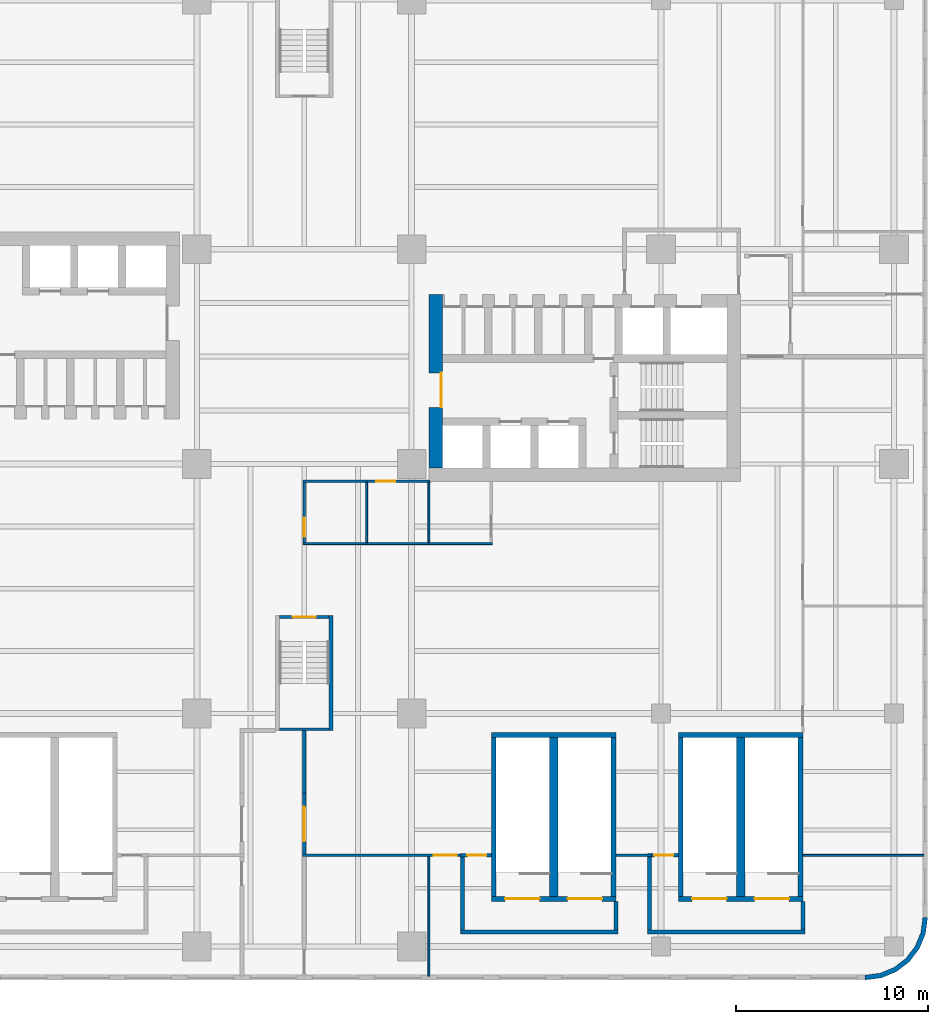
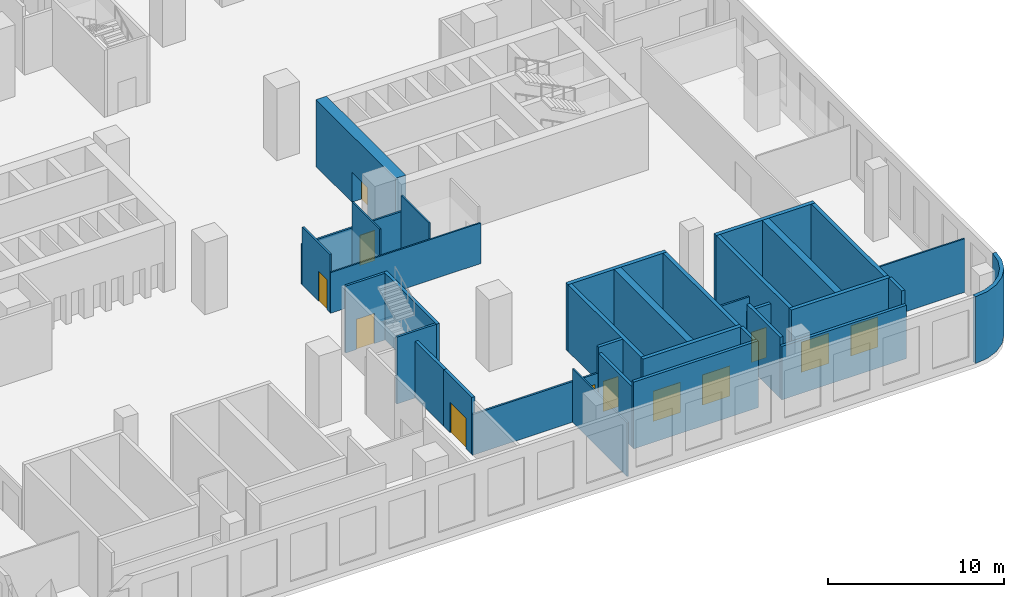
# One storey, part 6 of 13: 34 walls, 12 doors, 12 openings.
"""IFC4 building model written with IfcOpenShell, lengths in metres."""

from ifc_helpers import new_model, si_unit, direction, frame, frame_2d, origin, place, context, subcontext, project, spatial, polyline, rectangle, outline, extrude, source, transform, mapped, material, layer, layer_set, type_object, element, fill, save


model = new_model("IFC4")

# Units and contexts
model_context = context("Model", 3, precision=1e-05, world=origin(), true_north=direction((0.0, 1.0)))
body_context = subcontext(model_context, "Body", "Model", "MODEL_VIEW")
ifc_project = project(units=[si_unit("LENGTHUNIT", "METRE"), si_unit("AREAUNIT", "SQUARE_METRE"), si_unit("VOLUMEUNIT", "CUBIC_METRE"), si_unit("PLANEANGLEUNIT", "RADIAN"), si_unit("MASSUNIT", "GRAM", prefix="KILO")], contexts=[model_context])

# Site, building, storey
site_placement = place(None, origin())
site = spatial("IfcSite", under=ifc_project, at=site_placement, CompositionType="ELEMENT")
building_placement = place(site_placement, origin())
building = spatial("IfcBuilding", under=site, at=building_placement, Name="Trellis Farm Tower", CompositionType="ELEMENT")
storey_placement = place(building_placement, frame((0.0, 0.0, 29.0)))
storey = spatial("IfcBuildingStorey", under=building, at=storey_placement, Name="L05", CompositionType="ELEMENT", Elevation=29.0)

# Walls
ifc_material_1 = material(Name="Plasterboard on steel studs", Category="steel")
ifc_layer_1 = layer(ifc_material_1, 0.10009765625)
ifc_layer_set_1 = layer_set([ifc_layer_1], Name="PARTITION 100 STUD EI 30")
wall_type_1 = type_object("IfcWallType", Name="PARTITION 100 STUD EI 30", PredefinedType="PARTITIONING", material=ifc_layer_set_1)
wall_1_placement = place(storey_placement, frame((3.25, -9.699951171875, 0.0), z_axis=(0.0, 0.0, 1.0), x_axis=(0.0, 1.0, 0.0)))
element("IfcWall", 1, at=wall_1_placement, inside=storey, type_object=wall_type_1, Name="Partition PW2", PredefinedType="PARTITIONING", context=body_context, shape_type="SweptSolid", body=[
    extrude(rectangle(XDim=3.137451171875, YDim=0.10009765625, at=frame_2d((1.56884765625, 0.0))), origin(), (0.0, 0.0, 1.0), 4.64990234375),
])
wall_2_placement = place(storey_placement, frame((6.5, -9.699951171875, 0.0), z_axis=(0.0, 0.0, 1.0), x_axis=(0.0, 1.0, 0.0)))
element("IfcWall", 2, at=wall_2_placement, inside=storey, type_object=wall_type_1, Name="Partition PW2", PredefinedType="PARTITIONING", context=body_context, shape_type="SweptSolid", body=[
    extrude(rectangle(XDim=3.137451171875, YDim=0.10009765625, at=frame_2d((1.56884765625, 0.0))), origin(), (0.0, 0.0, 1.0), 3.946533203125),
])
wall_3_placement = place(storey_placement, frame((-0.0625, -9.75, 0.0), z_axis=(0.0, 0.0, 1.0), x_axis=(1.0, 0.0, 0.0)))
element("IfcWall", 3, at=wall_3_placement, inside=storey, type_object=wall_type_1, Name="Partition PW2", PredefinedType="PARTITIONING", context=body_context, shape_type="SweptSolid", body=[
    extrude(rectangle(XDim=9.875, YDim=0.10009765625, at=frame_2d((4.9375, 0.0))), origin(), (0.0, 0.0, 1.0), 2.830078125),
])

# Wall, opening, door
ifc_material_2 = material(Name="Plasterboard on steel studs, mineral wool", Category="steel")
ifc_layer_2 = layer(ifc_material_2, 0.125)
ifc_layer_set_2 = layer_set([ifc_layer_2], Name="PARTITION 125 STUD EI 60")
wall_type_2 = type_object("IfcWallType", Name="PARTITION 125 STUD EI 60", PredefinedType="PARTITIONING", material=ifc_layer_set_2)
wall_4_placement = place(storey_placement, frame((0.0, -6.5625, 0.0), z_axis=(0.0, 0.0, 1.0), x_axis=(0.0, -1.0, 0.0)))
wall_4 = element("IfcWall", 4, at=wall_4_placement, inside=storey, type_object=wall_type_2, Name="Partition PW1", PredefinedType="PARTITIONING", context=body_context, shape_type="SweptSolid", body=[
    extrude(rectangle(XDim=3.137451171875, YDim=0.125, at=frame_2d((1.56884765625, 0.0))), origin(), (0.0, 0.0, 1.0), 4.02734375),
])
shared_shape_1 = source(origin(), body_context, "Body", "SweptSolid", [
    extrude(rectangle(XDim=1.0, YDim=2.10009765625, at=frame_2d((0.5, 1.050048828125))), frame((0.0, 0.072509765625, 0.0), z_axis=(0.0, -1.0, 0.0), x_axis=(1.0, 0.0, 0.0)), (0.0, 0.0, 1.0), 0.14501953125),
])
opening_1_placement = place(wall_4_placement, frame((1.83740234375, 0.0, 0.0)))
opening_1 = element("IfcOpeningElement", 5, at=opening_1_placement, cuts=wall_4, Name="Opening D103", PredefinedType="OPENING", context=body_context, shape_type="MappedRepresentation", body=[
    mapped(shared_shape_1, transform((0.0, 0.0, 0.0))),
])
ifc_material_3 = material(Name="Fire-rated timber door leaf in a hollow metal frame", Category="wood")
door_type_1 = type_object("IfcDoorType", Name="DOOR 1000x2100 FD30S", OperationType="NOTDEFINED", PredefinedType="DOOR", material=ifc_material_3)
shared_shape_2 = source(origin(), body_context, "Body", "SweptSolid", [
    extrude(rectangle(XDim=1.0, YDim=2.10009765625, at=frame_2d((0.5, 1.050048828125))), frame((0.0, 0.02490234375, 0.0), z_axis=(0.0, -1.0, 0.0), x_axis=(1.0, 0.0, 0.0)), (0.0, 0.0, 1.0), 0.050048828125),
])
door_1_placement = place(opening_1_placement, origin())
door_1 = element("IfcDoor", 6, at=door_1_placement, inside=storey, type_object=door_type_1, Name="Door D103", OperationType="SINGLE_SWING_RIGHT", OverallHeight=2.10009765625, OverallWidth=1.0, PredefinedType="DOOR", context=body_context, shape_type="MappedRepresentation", body=[
    mapped(shared_shape_2, transform((0.0, 0.0, 0.0))),
])
fill(opening_1, door_1)

wall_5_placement = place(storey_placement, frame((6.550048828125, -6.5, 0.0), z_axis=(0.0, 0.0, 1.0), x_axis=(-1.0, 0.0, 0.0)))
wall_5 = element("IfcWall", 7, at=wall_5_placement, inside=storey, type_object=wall_type_2, Name="Partition PW1", PredefinedType="PARTITIONING", context=body_context, shape_type="SweptSolid", body=[
    extrude(rectangle(XDim=6.612548828125, YDim=0.125, at=frame_2d((3.30615234375, 0.0))), origin(), (0.0, 0.0, 1.0), 2.830078125),
])
opening_2_placement = place(wall_5_placement, frame((1.800048828125, 0.0, 0.0)))
opening_2 = element("IfcOpeningElement", 8, at=opening_2_placement, cuts=wall_5, Name="Opening D104", PredefinedType="OPENING", context=body_context, shape_type="MappedRepresentation", body=[
    mapped(shared_shape_1, transform((0.0, 0.0, 0.0))),
])
door_2_placement = place(opening_2_placement, origin())
door_2 = element("IfcDoor", 9, at=door_2_placement, inside=storey, type_object=door_type_1, Name="Door D104", OperationType="SINGLE_SWING_LEFT", OverallHeight=2.10009765625, OverallWidth=1.0, PredefinedType="DOOR", context=body_context, shape_type="MappedRepresentation", body=[
    mapped(shared_shape_2, transform((0.0, 0.0, 0.0))),
])
fill(opening_2, door_2)

# Wall
ifc_material_4 = material(Name="Sandstone faced insulated wall", Category="masonry")
ifc_layer_3 = layer(ifc_material_4, 0.25)
ifc_layer_set_3 = layer_set([ifc_layer_3], Name="STONE CLAD EXTERNAL WALL 250")
wall_type_3 = type_object("IfcWallType", Name="STONE CLAD EXTERNAL WALL 250", PredefinedType="SOLIDWALL", material=ifc_layer_set_3)
wall_6_placement = place(storey_placement, origin())
element("IfcWall", 10, at=wall_6_placement, inside=storey, type_object=wall_type_3, Name="EW5 C04", PredefinedType="SOLIDWALL", context=body_context, shape_type="SweptSolid", body=[
    extrude(outline(polyline([(29.25, -32.5), (30.091064453125, -32.38916015625), (30.875, -32.064697265625), (31.548095703125, -31.548095703125), (32.064697265625, -30.875), (32.38916015625, -30.091064453125), (32.5, -29.25), (32.25, -29.233642578125), (32.145751953125, -30.02587890625), (31.84619140625, -30.7490234375), (31.369873046875, -31.369873046875), (30.7490234375, -31.84619140625), (30.02587890625, -32.145751953125), (29.233642578125, -32.25), (29.25, -32.5)])), origin(), (0.0, 0.0, 1.0), 4.64990234375),
])

# Wall, opening, door
ifc_material_5 = material(Name="Concrete C80/95", Category="concrete")
ifc_layer_4 = layer(ifc_material_5, 0.699951171875)
ifc_layer_set_4 = layer_set([ifc_layer_4], Name="CORE OUTER WALL 700 CONCRETE C80/95")
wall_type_4 = type_object("IfcWallType", Name="CORE OUTER WALL 700 CONCRETE C80/95", PredefinedType="SHEAR", material=ifc_layer_set_4)
shared_shape_3 = source(origin(), body_context, "Body", "SweptSolid", [
    extrude(rectangle(XDim=9.050048828125, YDim=0.699951171875, at=frame_2d((4.52490234375, 0.0))), origin(), (0.0, 0.0, 1.0), 4.64990234375),
])
wall_7_placement = place(storey_placement, frame((6.85009765625, -5.800048828125, 0.0), z_axis=(0.0, 0.0, 1.0), x_axis=(0.0, 1.0, 0.0)))
wall_7 = element("IfcWall", 11, at=wall_7_placement, inside=storey, type_object=wall_type_4, Name="Core wall", PredefinedType="SHEAR", context=body_context, shape_type="MappedRepresentation", body=[
    mapped(shared_shape_3, transform((0.0, 0.0, 0.0))),
])
shared_shape_4 = source(origin(), body_context, "Body", "SweptSolid", [
    extrude(rectangle(XDim=1.800048828125, YDim=2.10009765625, at=frame_2d((0.89990234375, 1.050048828125))), frame((0.0, 0.360107421875, 0.0), z_axis=(0.0, -1.0, 0.0), x_axis=(1.0, 0.0, 0.0)), (0.0, 0.0, 1.0), 0.72021484375),
])
opening_3_placement = place(wall_7_placement, frame((3.14990234375, 0.0, 0.0)))
opening_3 = element("IfcOpeningElement", 12, at=opening_3_placement, cuts=wall_7, Name="Opening DC1", PredefinedType="OPENING", context=body_context, shape_type="MappedRepresentation", body=[
    mapped(shared_shape_4, transform((0.0, 0.0, 0.0))),
])
ifc_material_6 = material(Name="Steel", Category="steel")
door_type_2 = type_object("IfcDoorType", Name="CORE FIRE DOOR DOUBLE 1800 X 2100", OperationType="DOUBLE_DOOR_SINGLE_SWING", PredefinedType="DOOR", material=ifc_material_6)
shared_shape_5 = source(origin(), body_context, "Body", "SweptSolid", [
    extrude(rectangle(XDim=1.800048828125, YDim=2.10009765625, at=frame_2d((0.89990234375, 1.050048828125))), frame((0.0, -0.27490234375, 0.0), z_axis=(0.0, -1.0, 0.0), x_axis=(1.0, 0.0, 0.0)), (0.0, 0.0, 1.0), 0.050048828125),
])
door_3_placement = place(opening_3_placement, origin())
door_3 = element("IfcDoor", 13, at=door_3_placement, inside=storey, type_object=door_type_2, Name="Core door", OperationType="DOUBLE_DOOR_SINGLE_SWING", OverallHeight=2.10009765625, OverallWidth=1.800048828125, PredefinedType="DOOR", context=body_context, shape_type="MappedRepresentation", body=[
    mapped(shared_shape_5, transform((0.0, 0.0, 0.0))),
])
fill(opening_3, door_3)

# Wall
ifc_layer_5 = layer(ifc_material_5, 0.199951171875)
ifc_layer_set_5 = layer_set([ifc_layer_5], Name="CORE STAIR ENCLOSURE WALL 200 CONCRETE C80/95")
wall_type_5 = type_object("IfcWallType", Name="CORE STAIR ENCLOSURE WALL 200 CONCRETE C80/95", PredefinedType="SHEAR", material=ifc_layer_set_5)
shared_shape_6 = source(origin(), body_context, "Body", "SweptSolid", [
    extrude(rectangle(XDim=6.0, YDim=0.199951171875, at=frame_2d((3.0, 0.0))), origin(), (0.0, 0.0, 1.0), 4.64990234375),
])
wall_8_placement = place(storey_placement, frame((1.39990234375, -13.5, 0.0), z_axis=(0.0, 0.0, 1.0), x_axis=(0.0, -1.0, 0.0)))
element("IfcWall", 14, at=wall_8_placement, inside=storey, type_object=wall_type_5, Name="Stair enclosure wall", PredefinedType="SHEAR", context=body_context, shape_type="MappedRepresentation", body=[
    mapped(shared_shape_6, transform((0.0, 0.0, 0.0))),
])

# Wall, opening, door
ifc_layer_6 = layer(ifc_material_5, 0.14990234375)
ifc_layer_set_6 = layer_set([ifc_layer_6], Name="CORE STAIR ENCLOSURE WALL 150 CONCRETE C80/95")
wall_type_6 = type_object("IfcWallType", Name="CORE STAIR ENCLOSURE WALL 150 CONCRETE C80/95", PredefinedType="SHEAR", material=ifc_layer_set_6)
shared_shape_7 = source(origin(), body_context, "Body", "SweptSolid", [
    extrude(rectangle(XDim=2.60009765625, YDim=0.14990234375, at=frame_2d((1.300048828125, 0.0))), origin(), (0.0, 0.0, 1.0), 4.64990234375),
])
wall_9_placement = place(storey_placement, frame((1.300048828125, -13.574951171875, 0.0), z_axis=(0.0, 0.0, 1.0), x_axis=(-1.0, 0.0, 0.0)))
wall_9 = element("IfcWall", 15, at=wall_9_placement, inside=storey, type_object=wall_type_6, Name="Stair enclosure wall", PredefinedType="SHEAR", context=body_context, shape_type="MappedRepresentation", body=[
    mapped(shared_shape_7, transform((0.0, 0.0, 0.0))),
])
shared_shape_8 = source(origin(), body_context, "Body", "SweptSolid", [
    extrude(rectangle(XDim=1.199951171875, YDim=2.10009765625, at=frame_2d((0.60009765625, 1.050048828125))), frame((0.0, 0.0849609375, 0.0), z_axis=(0.0, -1.0, 0.0), x_axis=(1.0, 0.0, 0.0)), (0.0, 0.0, 1.0), 0.169921875),
])
opening_4_placement = place(wall_9_placement, frame((0.699951171875, 0.0, 0.0)))
opening_4 = element("IfcOpeningElement", 16, at=opening_4_placement, cuts=wall_9, Name="Opening DC174", PredefinedType="OPENING", context=body_context, shape_type="MappedRepresentation", body=[
    mapped(shared_shape_8, transform((0.0, 0.0, 0.0))),
])
door_type_3 = type_object("IfcDoorType", Name="CORE FIRE DOOR 1200 X 2100", OperationType="NOTDEFINED", PredefinedType="DOOR", material=ifc_material_6)
shared_shape_9 = source(origin(), body_context, "Body", "SweptSolid", [
    extrude(rectangle(XDim=1.199951171875, YDim=2.10009765625, at=frame_2d((0.60009765625, 1.050048828125))), frame((0.0, 0.02490234375, 0.0), z_axis=(0.0, -1.0, 0.0), x_axis=(1.0, 0.0, 0.0)), (0.0, 0.0, 1.0), 0.050048828125),
])
door_4_placement = place(opening_4_placement, origin())
door_4 = element("IfcDoor", 17, at=door_4_placement, inside=storey, type_object=door_type_3, Name="Core door", OperationType="SINGLE_SWING_RIGHT", OverallHeight=2.10009765625, OverallWidth=1.199951171875, PredefinedType="DOOR", context=body_context, shape_type="MappedRepresentation", body=[
    mapped(shared_shape_9, transform((0.0, 0.0, 0.0))),
])
fill(opening_4, door_4)

# Wall
wall_10_placement = place(storey_placement, frame((1.300048828125, -19.425048828125, 0.0), z_axis=(0.0, 0.0, 1.0), x_axis=(-1.0, 0.0, 0.0)))
element("IfcWall", 18, at=wall_10_placement, inside=storey, type_object=wall_type_6, Name="Stair enclosure wall", PredefinedType="SHEAR", context=body_context, shape_type="MappedRepresentation", body=[
    mapped(shared_shape_7, transform((0.0, 0.0, 0.0))),
])

# Wall, openings, doors
ifc_layer_7 = layer(ifc_material_5, 0.25)
ifc_layer_set_7 = layer_set([ifc_layer_7], Name="CORE STAIR ENCLOSURE WALL 250 CONCRETE C80/95")
wall_type_7 = type_object("IfcWallType", Name="CORE STAIR ENCLOSURE WALL 250 CONCRETE C80/95", PredefinedType="SHEAR", material=ifc_layer_set_7)
shared_shape_10 = source(origin(), body_context, "Body", "SweptSolid", [
    extrude(rectangle(XDim=6.5, YDim=0.25, at=frame_2d((3.25, 0.0))), origin(), (0.0, 0.0, 1.0), 4.64990234375),
])
wall_11_placement = place(storey_placement, frame((9.75, -28.27490234375, 0.0), z_axis=(0.0, 0.0, 1.0), x_axis=(1.0, 0.0, 0.0)))
wall_11 = element("IfcWall", 19, at=wall_11_placement, inside=storey, type_object=wall_type_7, Name="Podium stair enclosure wall", PredefinedType="SHEAR", context=body_context, shape_type="MappedRepresentation", body=[
    mapped(shared_shape_10, transform((0.0, 0.0, 0.0))),
])
shared_shape_11 = source(origin(), body_context, "Body", "SweptSolid", [
    extrude(rectangle(XDim=1.800048828125, YDim=2.10009765625, at=frame_2d((0.89990234375, 1.050048828125))), frame((0.0, 0.135009765625, 0.0), z_axis=(0.0, -1.0, 0.0), x_axis=(1.0, 0.0, 0.0)), (0.0, 0.0, 1.0), 0.27001953125),
])
opening_5_placement = place(wall_11_placement, frame((0.72509765625, 0.0, 0.0)))
opening_5 = element("IfcOpeningElement", 20, at=opening_5_placement, cuts=wall_11, Name="Opening DP13", PredefinedType="OPENING", context=body_context, shape_type="MappedRepresentation", body=[
    mapped(shared_shape_11, transform((0.0, 0.0, 0.0))),
])
opening_6_placement = place(wall_11_placement, frame((3.97509765625, 0.0, 0.0)))
opening_6 = element("IfcOpeningElement", 21, at=opening_6_placement, cuts=wall_11, Name="Opening DP14", PredefinedType="OPENING", context=body_context, shape_type="MappedRepresentation", body=[
    mapped(shared_shape_11, transform((0.0, 0.0, 0.0))),
])
shared_shape_12 = source(origin(), body_context, "Body", "SweptSolid", [
    extrude(rectangle(XDim=1.800048828125, YDim=2.10009765625, at=frame_2d((0.89990234375, 1.050048828125))), frame((0.0, 0.02490234375, 0.0), z_axis=(0.0, -1.0, 0.0), x_axis=(1.0, 0.0, 0.0)), (0.0, 0.0, 1.0), 0.050048828125),
])
door_5_placement = place(opening_5_placement, origin())
door_5 = element("IfcDoor", 22, at=door_5_placement, inside=storey, type_object=door_type_2, Name="Podium stair door", OperationType="DOUBLE_DOOR_SINGLE_SWING", OverallHeight=2.10009765625, OverallWidth=1.800048828125, PredefinedType="DOOR", context=body_context, shape_type="MappedRepresentation", body=[
    mapped(shared_shape_12, transform((0.0, 0.0, 0.0))),
])
fill(opening_5, door_5)
door_6_placement = place(opening_6_placement, origin())
door_6 = element("IfcDoor", 23, at=door_6_placement, inside=storey, type_object=door_type_2, Name="Podium stair door", OperationType="DOUBLE_DOOR_SINGLE_SWING", OverallHeight=2.10009765625, OverallWidth=1.800048828125, PredefinedType="DOOR", context=body_context, shape_type="MappedRepresentation", body=[
    mapped(shared_shape_12, transform((0.0, 0.0, 0.0))),
])
fill(opening_6, door_6)

# Wall
wall_12_placement = place(storey_placement, frame((9.75, -19.72509765625, 0.0), z_axis=(0.0, 0.0, 1.0), x_axis=(1.0, 0.0, 0.0)))
element("IfcWall", 24, at=wall_12_placement, inside=storey, type_object=wall_type_7, Name="Podium stair enclosure wall", PredefinedType="SHEAR", context=body_context, shape_type="MappedRepresentation", body=[
    mapped(shared_shape_10, transform((0.0, 0.0, 0.0))),
])

# Wall, openings, doors
wall_13_placement = place(storey_placement, frame((19.5, -28.27490234375, 0.0), z_axis=(0.0, 0.0, 1.0), x_axis=(1.0, 0.0, 0.0)))
wall_13 = element("IfcWall", 25, at=wall_13_placement, inside=storey, type_object=wall_type_7, Name="Podium stair enclosure wall", PredefinedType="SHEAR", context=body_context, shape_type="MappedRepresentation", body=[
    mapped(shared_shape_10, transform((0.0, 0.0, 0.0))),
])
opening_7_placement = place(wall_13_placement, frame((0.72509765625, 0.0, 0.0)))
opening_7 = element("IfcOpeningElement", 26, at=opening_7_placement, cuts=wall_13, Name="Opening DP15", PredefinedType="OPENING", context=body_context, shape_type="MappedRepresentation", body=[
    mapped(shared_shape_11, transform((0.0, 0.0, 0.0))),
])
opening_8_placement = place(wall_13_placement, frame((3.97509765625, 0.0, 0.0)))
opening_8 = element("IfcOpeningElement", 27, at=opening_8_placement, cuts=wall_13, Name="Opening DP16", PredefinedType="OPENING", context=body_context, shape_type="MappedRepresentation", body=[
    mapped(shared_shape_11, transform((0.0, 0.0, 0.0))),
])
door_7_placement = place(opening_7_placement, origin())
door_7 = element("IfcDoor", 28, at=door_7_placement, inside=storey, type_object=door_type_2, Name="Podium stair door", OperationType="DOUBLE_DOOR_SINGLE_SWING", OverallHeight=2.10009765625, OverallWidth=1.800048828125, PredefinedType="DOOR", context=body_context, shape_type="MappedRepresentation", body=[
    mapped(shared_shape_12, transform((0.0, 0.0, 0.0))),
])
fill(opening_7, door_7)
door_8_placement = place(opening_8_placement, origin())
door_8 = element("IfcDoor", 29, at=door_8_placement, inside=storey, type_object=door_type_2, Name="Podium stair door", OperationType="DOUBLE_DOOR_SINGLE_SWING", OverallHeight=2.10009765625, OverallWidth=1.800048828125, PredefinedType="DOOR", context=body_context, shape_type="MappedRepresentation", body=[
    mapped(shared_shape_12, transform((0.0, 0.0, 0.0))),
])
fill(opening_8, door_8)

# Walls
wall_14_placement = place(storey_placement, frame((19.5, -19.72509765625, 0.0), z_axis=(0.0, 0.0, 1.0), x_axis=(1.0, 0.0, 0.0)))
element("IfcWall", 30, at=wall_14_placement, inside=storey, type_object=wall_type_7, Name="Podium stair enclosure wall", PredefinedType="SHEAR", context=body_context, shape_type="MappedRepresentation", body=[
    mapped(shared_shape_10, transform((0.0, 0.0, 0.0))),
])
shared_shape_13 = source(origin(), body_context, "Body", "SweptSolid", [
    extrude(rectangle(XDim=8.2998046875, YDim=0.25, at=frame_2d((4.14990234375, 0.0))), origin(), (0.0, 0.0, 1.0), 4.64990234375),
])
for number, where, z_axis, x_axis, name in (
    (31, (9.875, -28.14990234375, 0.0), (0.0, 0.0, 1.0), (0.0, 1.0, 0.0), "Podium stair enclosure wall"),
    (32, (16.125, -28.14990234375, 0.0), (0.0, 0.0, 1.0), (0.0, 1.0, 0.0), "Podium stair enclosure wall"),
    (33, (19.625, -28.14990234375, 0.0), (0.0, 0.0, 1.0), (0.0, 1.0, 0.0), "Podium stair enclosure wall"),
    (34, (25.875, -28.14990234375, 0.0), (0.0, 0.0, 1.0), (0.0, 1.0, 0.0), "Podium stair enclosure wall"),
):
    element("IfcWall", number, at=place(storey_placement, frame(where, z_axis=z_axis, x_axis=x_axis)), inside=storey, type_object=wall_type_7, Name=name, PredefinedType="SHEAR", context=body_context, shape_type="MappedRepresentation", body=[
        mapped(shared_shape_13, transform((0.0, 0.0, 0.0))),
    ])
ifc_layer_8 = layer(ifc_material_5, 0.43994140625)
ifc_layer_set_8 = layer_set([ifc_layer_8], Name="CORE STAIR ENCLOSURE WALL 440 CONCRETE C80/95")
wall_type_8 = type_object("IfcWallType", Name="CORE STAIR ENCLOSURE WALL 440 CONCRETE C80/95", PredefinedType="SHEAR", material=ifc_layer_set_8)
shared_shape_14 = source(origin(), body_context, "Body", "SweptSolid", [
    extrude(rectangle(XDim=8.2998046875, YDim=0.43994140625, at=frame_2d((4.14990234375, 0.0))), origin(), (0.0, 0.0, 1.0), 4.64990234375),
])
for number, where, z_axis, x_axis, name in (
    (35, (13.0, -28.14990234375, 0.0), (0.0, 0.0, 1.0), (0.0, 1.0, 0.0), "Podium stair enclosure wall"),
    (36, (22.75, -28.14990234375, 0.0), (0.0, 0.0, 1.0), (0.0, 1.0, 0.0), "Podium stair enclosure wall"),
):
    element("IfcWall", number, at=place(storey_placement, frame(where, z_axis=z_axis, x_axis=x_axis)), inside=storey, type_object=wall_type_8, Name=name, PredefinedType="SHEAR", context=body_context, shape_type="MappedRepresentation", body=[
        mapped(shared_shape_14, transform((0.0, 0.0, 0.0))),
    ])
ifc_material_7 = material(Name="Lightweight blockwork, plastered", Category="masonry")
ifc_layer_9 = layer(ifc_material_7, 0.199951171875)
ifc_layer_set_9 = layer_set([ifc_layer_9], Name="BLOCK WALL 200 EI 120")
wall_type_9 = type_object("IfcWallType", Name="BLOCK WALL 200 EI 120", PredefinedType="PARTITIONING", material=ifc_layer_set_9)
shared_shape_15 = source(origin(), body_context, "Body", "SweptSolid", [
    extrude(rectangle(XDim=1.5, YDim=0.199951171875, at=frame_2d((0.75, 0.0))), origin(), (0.0, 0.0, 1.0), 4.64990234375),
])
for number, where, z_axis, x_axis, name in (
    (37, (16.25, -28.39990234375, 0.0), (0.0, 0.0, 1.0), (0.0, -1.0, 0.0), "Partition PW3"),
    (38, (26.0, -28.39990234375, 0.0), (0.0, 0.0, 1.0), (0.0, -1.0, 0.0), "Partition PW3"),
):
    element("IfcWall", number, at=place(storey_placement, frame(where, z_axis=z_axis, x_axis=x_axis)), inside=storey, type_object=wall_type_9, Name=name, PredefinedType="PARTITIONING", context=body_context, shape_type="MappedRepresentation", body=[
        mapped(shared_shape_15, transform((0.0, 0.0, 0.0))),
    ])
shared_shape_16 = source(origin(), body_context, "Body", "SweptSolid", [
    extrude(rectangle(XDim=3.7998046875, YDim=0.199951171875, at=frame_2d((1.89990234375, 0.0))), origin(), (0.0, 0.0, 1.0), 4.2236328125),
])
for number, where, z_axis, x_axis, name in (
    (39, (8.25, -26.10009765625, 0.0), (0.0, 0.0, 1.0), (0.0, -1.0, 0.0), "Partition PW3"),
    (40, (18.0, -26.10009765625, 0.0), (0.0, 0.0, 1.0), (0.0, -1.0, 0.0), "Partition PW3"),
):
    element("IfcWall", number, at=place(storey_placement, frame(where, z_axis=z_axis, x_axis=x_axis)), inside=storey, type_object=wall_type_9, Name=name, PredefinedType="PARTITIONING", context=body_context, shape_type="MappedRepresentation", body=[
        mapped(shared_shape_16, transform((0.0, 0.0, 0.0))),
    ])

# Wall, opening, door
shared_shape_17 = source(origin(), body_context, "Body", "SweptSolid", [
    extrude(rectangle(XDim=3.1875, YDim=0.199951171875, at=frame_2d((1.59375, 0.0))), origin(), (0.0, 0.0, 1.0), 3.946533203125),
])
wall_15_placement = place(storey_placement, frame((0.0, -22.75, 0.0), z_axis=(0.0, 0.0, 1.0), x_axis=(0.0, -1.0, 0.0)))
wall_15 = element("IfcWall", 41, at=wall_15_placement, inside=storey, type_object=wall_type_9, Name="Partition PW3", PredefinedType="PARTITIONING", context=body_context, shape_type="MappedRepresentation", body=[
    mapped(shared_shape_17, transform((0.0, 0.0, 0.0))),
])
shared_shape_18 = source(origin(), body_context, "Body", "SweptSolid", [
    extrude(rectangle(XDim=1.800048828125, YDim=2.10009765625, at=frame_2d((0.89990234375, 1.050048828125))), frame((0.0, 0.110107421875, 0.0), z_axis=(0.0, -1.0, 0.0), x_axis=(1.0, 0.0, 0.0)), (0.0, 0.0, 1.0), 0.22021484375),
])
opening_9_placement = place(wall_15_placement, frame((0.72509765625, 0.0, 0.0)))
opening_9 = element("IfcOpeningElement", 42, at=opening_9_placement, cuts=wall_15, Name="Opening D402", PredefinedType="OPENING", context=body_context, shape_type="MappedRepresentation", body=[
    mapped(shared_shape_18, transform((0.0, 0.0, 0.0))),
])
door_type_4 = type_object("IfcDoorType", Name="DOOR PAIR 1800x2100 FD60", OperationType="NOTDEFINED", PredefinedType="DOOR", material=ifc_material_3)
door_9_placement = place(opening_9_placement, origin())
door_9 = element("IfcDoor", 43, at=door_9_placement, inside=storey, type_object=door_type_4, Name="Door D402", OperationType="DOUBLE_DOOR_SINGLE_SWING", OverallHeight=2.10009765625, OverallWidth=1.800048828125, PredefinedType="DOOR", context=body_context, shape_type="MappedRepresentation", body=[
    mapped(shared_shape_12, transform((0.0, 0.0, 0.0))),
])
fill(opening_9, door_9)

# Walls
shared_shape_19 = source(origin(), body_context, "Body", "SweptSolid", [
    extrude(rectangle(XDim=3.25, YDim=0.199951171875, at=frame_2d((1.625, 0.0))), origin(), (0.0, 0.0, 1.0), 3.946533203125),
])
wall_16_placement = place(storey_placement, frame((0.0, -22.75, 0.0), z_axis=(0.0, 0.0, 1.0), x_axis=(0.0, 1.0, 0.0)))
element("IfcWall", 44, at=wall_16_placement, inside=storey, type_object=wall_type_9, Name="Partition PW3", PredefinedType="PARTITIONING", context=body_context, shape_type="MappedRepresentation", body=[
    mapped(shared_shape_19, transform((0.0, 0.0, 0.0))),
])
shared_shape_20 = source(origin(), body_context, "Body", "SweptSolid", [
    extrude(rectangle(XDim=6.237548828125, YDim=0.10009765625, at=frame_2d((3.11865234375, 0.0))), origin(), (0.0, 0.0, 1.0), 3.72998046875),
])
wall_17_placement = place(storey_placement, frame((6.5, -32.300048828125, 0.0), z_axis=(0.0, 0.0, 1.0), x_axis=(0.0, 1.0, 0.0)))
element("IfcWall", 45, at=wall_17_placement, inside=storey, type_object=wall_type_1, Name="Partition PW2", PredefinedType="PARTITIONING", context=body_context, shape_type="MappedRepresentation", body=[
    mapped(shared_shape_20, transform((0.0, 0.0, 0.0))),
])
shared_shape_21 = source(origin(), body_context, "Body", "SweptSolid", [
    extrude(rectangle(XDim=8.2001953125, YDim=0.199951171875, at=frame_2d((4.10009765625, 0.0))), origin(), (0.0, 0.0, 1.0), 4.64990234375),
])
wall_18_placement = place(storey_placement, frame((8.14990234375, -30.0, 0.0), z_axis=(0.0, 0.0, 1.0), x_axis=(1.0, 0.0, 0.0)))
element("IfcWall", 46, at=wall_18_placement, inside=storey, type_object=wall_type_9, Name="Partition PW3", PredefinedType="PARTITIONING", context=body_context, shape_type="MappedRepresentation", body=[
    mapped(shared_shape_21, transform((0.0, 0.0, 0.0))),
])
shared_shape_22 = source(origin(), body_context, "Body", "SweptSolid", [
    extrude(rectangle(XDim=8.2001953125, YDim=0.199951171875, at=frame_2d((4.10009765625, 0.0))), origin(), (0.0, 0.0, 1.0), 3.711669921875),
])
wall_19_placement = place(storey_placement, frame((17.89990234375, -30.0, 0.0), z_axis=(0.0, 0.0, 1.0), x_axis=(1.0, 0.0, 0.0)))
element("IfcWall", 47, at=wall_19_placement, inside=storey, type_object=wall_type_9, Name="Partition PW3", PredefinedType="PARTITIONING", context=body_context, shape_type="MappedRepresentation", body=[
    mapped(shared_shape_22, transform((0.0, 0.0, 0.0))),
])

# Wall, opening, door
shared_shape_23 = source(origin(), body_context, "Body", "SweptSolid", [
    extrude(rectangle(XDim=1.60009765625, YDim=0.199951171875, at=frame_2d((0.800048828125, 0.0))), origin(), (0.0, 0.0, 1.0), 4.64990234375),
])
wall_20_placement = place(storey_placement, frame((8.14990234375, -26.0, 0.0), z_axis=(0.0, 0.0, 1.0), x_axis=(1.0, 0.0, 0.0)))
wall_20 = element("IfcWall", 48, at=wall_20_placement, inside=storey, type_object=wall_type_9, Name="Partition PW3", PredefinedType="PARTITIONING", context=body_context, shape_type="MappedRepresentation", body=[
    mapped(shared_shape_23, transform((0.0, 0.0, 0.0))),
])
shared_shape_24 = source(origin(), body_context, "Body", "SweptSolid", [
    extrude(rectangle(XDim=1.0, YDim=2.10009765625, at=frame_2d((0.5, 1.050048828125))), frame((0.0, 0.110107421875, 0.0), z_axis=(0.0, -1.0, 0.0), x_axis=(1.0, 0.0, 0.0)), (0.0, 0.0, 1.0), 0.22021484375),
])
opening_10_placement = place(wall_20_placement, frame((0.35009765625, 0.0, 0.0)))
opening_10 = element("IfcOpeningElement", 49, at=opening_10_placement, cuts=wall_20, Name="Opening D303", PredefinedType="OPENING", context=body_context, shape_type="MappedRepresentation", body=[
    mapped(shared_shape_24, transform((0.0, 0.0, 0.0))),
])
door_type_5 = type_object("IfcDoorType", Name="DOOR 1000x2100 FD60", OperationType="NOTDEFINED", PredefinedType="DOOR", material=ifc_material_3)
door_10_placement = place(opening_10_placement, origin())
door_10 = element("IfcDoor", 50, at=door_10_placement, inside=storey, type_object=door_type_5, Name="Door D303", OperationType="SINGLE_SWING_LEFT", OverallHeight=2.10009765625, OverallWidth=1.0, PredefinedType="DOOR", context=body_context, shape_type="MappedRepresentation", body=[
    mapped(shared_shape_2, transform((0.0, 0.0, 0.0))),
])
fill(opening_10, door_10)

shared_shape_25 = source(origin(), body_context, "Body", "SweptSolid", [
    extrude(rectangle(XDim=1.60009765625, YDim=0.199951171875, at=frame_2d((0.800048828125, 0.0))), origin(), (0.0, 0.0, 1.0), 3.711669921875),
])
wall_21_placement = place(storey_placement, frame((17.89990234375, -26.0, 0.0), z_axis=(0.0, 0.0, 1.0), x_axis=(1.0, 0.0, 0.0)))
wall_21 = element("IfcWall", 51, at=wall_21_placement, inside=storey, type_object=wall_type_9, Name="Partition PW3", PredefinedType="PARTITIONING", context=body_context, shape_type="MappedRepresentation", body=[
    mapped(shared_shape_25, transform((0.0, 0.0, 0.0))),
])
opening_11_placement = place(wall_21_placement, frame((0.35009765625, 0.0, 0.0)))
opening_11 = element("IfcOpeningElement", 52, at=opening_11_placement, cuts=wall_21, Name="Opening D304", PredefinedType="OPENING", context=body_context, shape_type="MappedRepresentation", body=[
    mapped(shared_shape_24, transform((0.0, 0.0, 0.0))),
])
door_11_placement = place(opening_11_placement, origin())
door_11 = element("IfcDoor", 53, at=door_11_placement, inside=storey, type_object=door_type_5, Name="Door D304", OperationType="SINGLE_SWING_LEFT", OverallHeight=2.10009765625, OverallWidth=1.0, PredefinedType="DOOR", context=body_context, shape_type="MappedRepresentation", body=[
    mapped(shared_shape_2, transform((0.0, 0.0, 0.0))),
])
fill(opening_11, door_11)

# Walls
shared_shape_26 = source(origin(), body_context, "Body", "SweptSolid", [
    extrude(rectangle(XDim=6.300048828125, YDim=0.10009765625, at=frame_2d((3.14990234375, 0.0))), origin(), (0.0, 0.0, 1.0), 3.72998046875),
])
wall_22_placement = place(storey_placement, frame((26.0, -26.0, 0.0), z_axis=(0.0, 0.0, 1.0), x_axis=(1.0, 0.0, 0.0)))
element("IfcWall", 54, at=wall_22_placement, inside=storey, type_object=wall_type_1, Name="Partition PW2", PredefinedType="PARTITIONING", context=body_context, shape_type="MappedRepresentation", body=[
    mapped(shared_shape_26, transform((0.0, 0.0, 0.0))),
])
shared_shape_27 = source(origin(), body_context, "Body", "SweptSolid", [
    extrude(rectangle(XDim=1.85009765625, YDim=0.125, at=frame_2d((0.925048828125, 0.0))), origin(), (0.0, 0.0, 1.0), 4.64990234375),
])
wall_23_placement = place(storey_placement, frame((18.10009765625, -26.0, 0.0), z_axis=(0.0, 0.0, 1.0), x_axis=(-1.0, 0.0, 0.0)))
element("IfcWall", 55, at=wall_23_placement, inside=storey, type_object=wall_type_2, Name="Partition PW1", PredefinedType="PARTITIONING", context=body_context, shape_type="MappedRepresentation", body=[
    mapped(shared_shape_27, transform((0.0, 0.0, 0.0))),
])

# Wall, opening, door
shared_shape_28 = source(origin(), body_context, "Body", "SweptSolid", [
    extrude(rectangle(XDim=8.4501953125, YDim=0.125, at=frame_2d((4.22509765625, 0.0))), origin(), (0.0, 0.0, 1.0), 2.830078125),
])
wall_24_placement = place(storey_placement, frame((8.35009765625, -26.0, 0.0), z_axis=(0.0, 0.0, 1.0), x_axis=(-1.0, 0.0, 0.0)))
wall_24 = element("IfcWall", 56, at=wall_24_placement, inside=storey, type_object=wall_type_2, Name="Partition PW1", PredefinedType="PARTITIONING", context=body_context, shape_type="MappedRepresentation", body=[
    mapped(shared_shape_28, transform((0.0, 0.0, 0.0))),
])
shared_shape_29 = source(origin(), body_context, "Body", "SweptSolid", [
    extrude(rectangle(XDim=1.199951171875, YDim=2.10009765625, at=frame_2d((0.60009765625, 1.050048828125))), frame((0.0, 0.072509765625, 0.0), z_axis=(0.0, -1.0, 0.0), x_axis=(1.0, 0.0, 0.0)), (0.0, 0.0, 1.0), 0.14501953125),
])
opening_12_placement = place(wall_24_placement, frame((0.39990234375, 0.0, 0.0)))
opening_12 = element("IfcOpeningElement", 57, at=opening_12_placement, cuts=wall_24, Name="Opening D603", PredefinedType="OPENING", context=body_context, shape_type="MappedRepresentation", body=[
    mapped(shared_shape_29, transform((0.0, 0.0, 0.0))),
])
door_type_6 = type_object("IfcDoorType", Name="DOOR 1200x2100 FD30S", OperationType="NOTDEFINED", PredefinedType="DOOR", material=ifc_material_3)
door_12_placement = place(opening_12_placement, origin())
door_12 = element("IfcDoor", 58, at=door_12_placement, inside=storey, type_object=door_type_6, Name="Door D603", OperationType="SINGLE_SWING_RIGHT", OverallHeight=2.10009765625, OverallWidth=1.199951171875, PredefinedType="DOOR", context=body_context, shape_type="MappedRepresentation", body=[
    mapped(shared_shape_9, transform((0.0, 0.0, 0.0))),
])
fill(opening_12, door_12)

save(model, "model.ifc")
